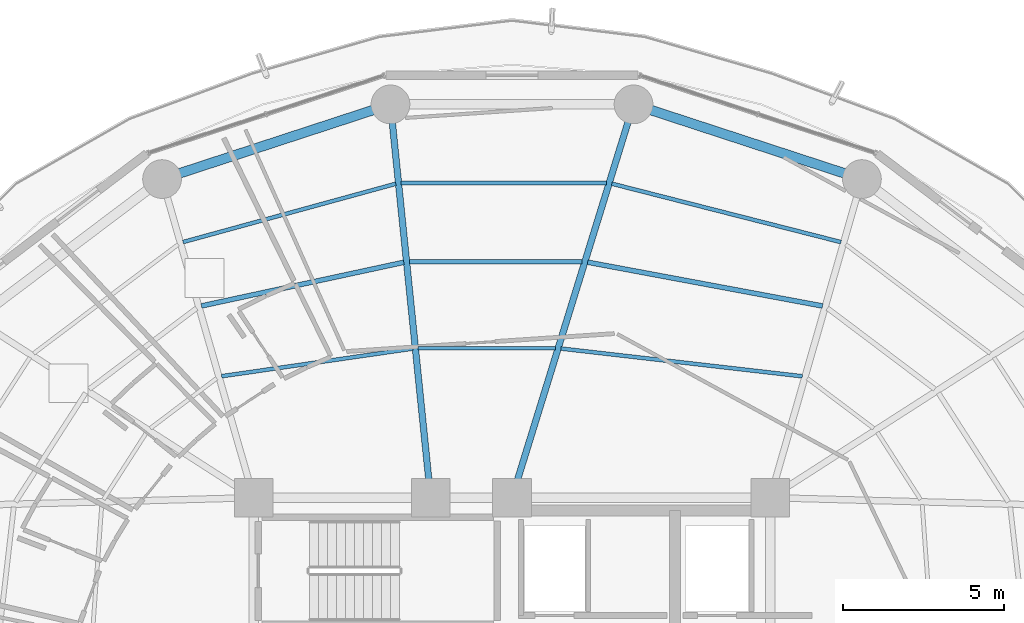
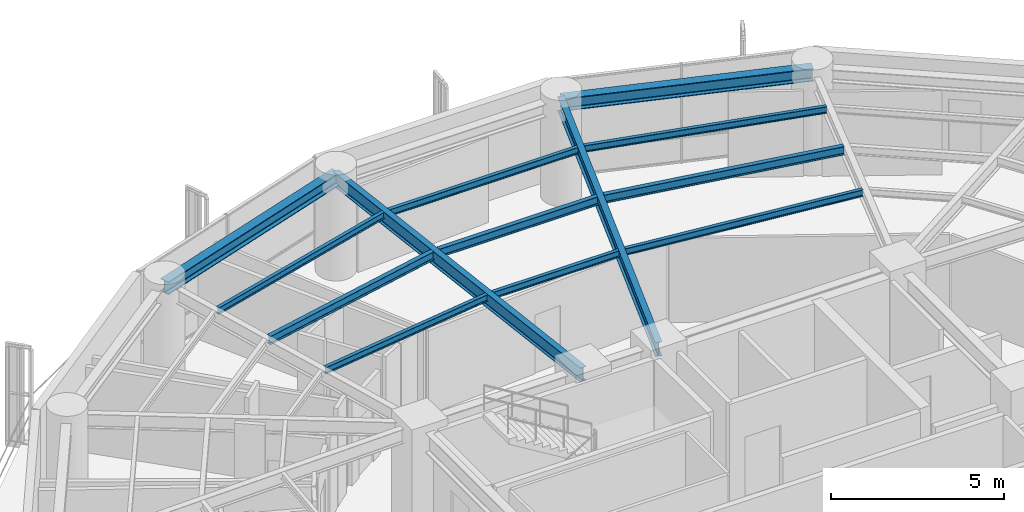
# One storey, part 17 of 27: 13 beams.
"""IFC4 building model written with IfcOpenShell, lengths in metres."""

from ifc_helpers import new_model, si_unit, direction, frame, origin, origin_2d, place, context, subcontext, project, spatial, i_section, extrude, material, material_profile, profile_set, type_object, element, save


model = new_model("IFC4")

# Units and contexts
model_context = context("Model", 3, precision=1e-05, world=origin(), true_north=direction((0.0, 1.0)))
body_context = subcontext(model_context, "Body", "Model", "MODEL_VIEW")
ifc_project = project(units=[si_unit("LENGTHUNIT", "METRE"), si_unit("AREAUNIT", "SQUARE_METRE"), si_unit("VOLUMEUNIT", "CUBIC_METRE"), si_unit("PLANEANGLEUNIT", "RADIAN"), si_unit("MASSUNIT", "GRAM", prefix="KILO")], contexts=[model_context])

# Site, building, storey
site_placement = place(None, origin())
site = spatial("IfcSite", under=ifc_project, at=site_placement, CompositionType="ELEMENT")
building_placement = place(site_placement, origin())
building = spatial("IfcBuilding", under=site, at=building_placement, Name="Kelanora Arch Commons", CompositionType="ELEMENT")
storey_placement = place(building_placement, frame((0.0, 0.0, 143.10009765625)))
storey = spatial("IfcBuildingStorey", under=building, at=storey_placement, Name="L36", CompositionType="ELEMENT", Elevation=143.10009765625)

# Beams
ifc_material = material(Name="Steel S355", Category="steel")
ifc_material_profile_1 = material_profile(ifc_material, i_section(OverallWidth=0.14990234375, OverallDepth=0.300048828125, WebThickness=0.007080078125, FlangeThickness=0.0107421875, FilletRadius=0.014892578125, at=origin_2d()), Name="IPE300")
ifc_profile_set_1 = profile_set([ifc_material_profile_1], Name="Steel S355")
beam_type_1 = type_object("IfcBeamType", Name="BM-JST-01", PredefinedType="JOIST", material=ifc_profile_set_1)
beam_1_placement = place(storey_placement, frame((83.620361328125, 70.937744140625, 3.33984375), z_axis=(-0.983054256126, 0.183314837134, 0.0), x_axis=(-0.183314837134, -0.983054256126, 0.0)))
element("IfcBeam", 1, at=beam_1_placement, inside=storey, type_object=beam_type_1, Name="Secondary Chord Joist BJB-06 L36", PredefinedType="JOIST", context=body_context, shape_type="SweptSolid", body=[
    extrude(i_section(OverallWidth=0.14990234375, OverallDepth=0.300048828125, WebThickness=0.007080078125, FlangeThickness=0.0107421875, FilletRadius=0.014892578125, at=origin_2d()), origin(), (0.0, 0.0, 1.0), 7.403564453125),
])
beam_2_placement = place(storey_placement, frame((76.173828125, 72.310546875, 3.33984375), z_axis=(-1.0, 0.0, 0.0), x_axis=(0.0, -1.0, 0.0)))
element("IfcBeam", 2, at=beam_2_placement, inside=storey, type_object=beam_type_1, Name="Secondary Chord Joist BJB-08 L36", PredefinedType="JOIST", context=body_context, shape_type="SweptSolid", body=[
    extrude(i_section(OverallWidth=0.14990234375, OverallDepth=0.300048828125, WebThickness=0.007080078125, FlangeThickness=0.0107421875, FilletRadius=0.014892578125, at=origin_2d()), origin(), (0.0, 0.0, 1.0), 5.355712890625),
])
beam_3_placement = place(storey_placement, frame((70.650146484375, 72.29248046875, 3.33984375), z_axis=(-0.977521966827, -0.210833594029, 0.0), x_axis=(0.210833594029, -0.977521966827, 0.0)))
element("IfcBeam", 3, at=beam_3_placement, inside=storey, type_object=beam_type_1, Name="Secondary Chord Joist BJB-10 L36", PredefinedType="JOIST", context=body_context, shape_type="SweptSolid", body=[
    extrude(i_section(OverallWidth=0.14990234375, OverallDepth=0.300048828125, WebThickness=0.007080078125, FlangeThickness=0.0107421875, FilletRadius=0.014892578125, at=origin_2d()), origin(), (0.0, 0.0, 1.0), 6.415283203125),
])
ifc_material_profile_2 = material_profile(ifc_material, i_section(OverallWidth=0.1201171875, OverallDepth=0.239990234375, WebThickness=0.006103515625, FlangeThickness=0.009765625, FilletRadius=0.014892578125, at=origin_2d()), Name="IPE240")
ifc_profile_set_2 = profile_set([ifc_material_profile_2], Name="Steel S355")
beam_type_2 = type_object("IfcBeamType", Name="BM-JST-02", PredefinedType="JOIST", material=ifc_profile_set_2)
beam_4_placement = place(storey_placement, frame((82.994873046875, 68.760498046875, 3.369873046875), z_axis=(-0.993457414184, 0.114203179475, 0.0), x_axis=(-0.114203179475, -0.993457414184, 0.0)))
element("IfcBeam", 4, at=beam_4_placement, inside=storey, type_object=beam_type_2, Name="Secondary Chord Joist BJA-06 L36", PredefinedType="JOIST", context=body_context, shape_type="SweptSolid", body=[
    extrude(i_section(OverallWidth=0.1201171875, OverallDepth=0.239990234375, WebThickness=0.006103515625, FlangeThickness=0.009765625, FilletRadius=0.014892578125, at=origin_2d()), origin(), (0.0, 0.0, 1.0), 7.529296875),
])
beam_5_placement = place(storey_placement, frame((84.189697265625, 72.917236328125, 3.369873046875), z_axis=(-0.96900232943, 0.247051584815, 0.0), x_axis=(-0.247051584815, -0.96900232943, 0.0)))
element("IfcBeam", 5, at=beam_5_placement, inside=storey, type_object=beam_type_2, Name="Secondary Chord Joist BJC-06 L36", PredefinedType="JOIST", context=body_context, shape_type="SweptSolid", body=[
    extrude(i_section(OverallWidth=0.1201171875, OverallDepth=0.239990234375, WebThickness=0.006103515625, FlangeThickness=0.009765625, FilletRadius=0.014892578125, at=origin_2d()), origin(), (0.0, 0.0, 1.0), 7.32275390625),
])
beam_6_placement = place(storey_placement, frame((75.345703125, 69.6298828125, 3.369873046875), z_axis=(-1.0, 0.0, 0.0), x_axis=(0.0, -1.0, 0.0)))
element("IfcBeam", 6, at=beam_6_placement, inside=storey, type_object=beam_type_2, Name="Secondary Chord Joist BJA-08 L36", PredefinedType="JOIST", context=body_context, shape_type="SweptSolid", body=[
    extrude(i_section(OverallWidth=0.1201171875, OverallDepth=0.239990234375, WebThickness=0.006103515625, FlangeThickness=0.009765625, FilletRadius=0.014892578125, at=origin_2d()), origin(), (0.0, 0.0, 1.0), 4.253662109375),
])
beam_7_placement = place(storey_placement, frame((76.9267578125, 74.747314453125, 3.369873046875), z_axis=(-1.0, 0.0, 0.0), x_axis=(0.0, -1.0, 0.0)))
element("IfcBeam", 7, at=beam_7_placement, inside=storey, type_object=beam_type_2, Name="Secondary Chord Joist BJC-08 L36", PredefinedType="JOIST", context=body_context, shape_type="SweptSolid", body=[
    extrude(i_section(OverallWidth=0.1201171875, OverallDepth=0.239990234375, WebThickness=0.006103515625, FlangeThickness=0.009765625, FilletRadius=0.014892578125, at=origin_2d()), origin(), (0.0, 0.0, 1.0), 6.357666015625),
])
beam_8_placement = place(storey_placement, frame((70.9228515625, 69.617919921875, 3.369873046875), z_axis=(-0.989718726051, -0.143027421508, 0.0), x_axis=(0.143027421508, -0.989718726051, 0.0)))
element("IfcBeam", 8, at=beam_8_placement, inside=storey, type_object=beam_type_2, Name="Secondary Chord Joist BJA-10 L36", PredefinedType="JOIST", context=body_context, shape_type="SweptSolid", body=[
    extrude(i_section(OverallWidth=0.1201171875, OverallDepth=0.239990234375, WebThickness=0.006103515625, FlangeThickness=0.009765625, FilletRadius=0.014892578125, at=origin_2d()), origin(), (0.0, 0.0, 1.0), 5.9794921875),
])
beam_9_placement = place(storey_placement, frame((70.40234375, 74.724853515625, 3.369873046875), z_axis=(-0.964456541131, -0.264241518824, 0.0), x_axis=(0.264241518824, -0.964456541131, 0.0)))
element("IfcBeam", 9, at=beam_9_placement, inside=storey, type_object=beam_type_2, Name="Secondary Chord Joist BJC-10 L36", PredefinedType="JOIST", context=body_context, shape_type="SweptSolid", body=[
    extrude(i_section(OverallWidth=0.1201171875, OverallDepth=0.239990234375, WebThickness=0.006103515625, FlangeThickness=0.009765625, FilletRadius=0.014892578125, at=origin_2d()), origin(), (0.0, 0.0, 1.0), 6.835205078125),
])
ifc_material_profile_3 = material_profile(ifc_material, i_section(OverallWidth=0.199951171875, OverallDepth=0.5, WebThickness=0.01025390625, FlangeThickness=0.01611328125, FilletRadius=0.02099609375, at=origin_2d()), Name="IPE500")
ifc_profile_set_3 = profile_set([ifc_material_profile_3], Name="Steel S355")
beam_type_3 = type_object("IfcBeamType", Name="BM-RAD-Z3", PredefinedType="BEAM", material=ifc_profile_set_3)
beam_10_placement = place(storey_placement, frame((74.0, 65.0, 3.239990234375), z_axis=(0.295210315095, 0.955432294755, 0.0), x_axis=(-0.955432294755, 0.295210315095, 0.0)))
element("IfcBeam", 10, at=beam_10_placement, inside=storey, type_object=beam_type_3, Name="Radial Floor Girder BR-08 L36", PredefinedType="BEAM", context=body_context, shape_type="SweptSolid", body=[
    extrude(i_section(OverallWidth=0.199951171875, OverallDepth=0.5, WebThickness=0.01025390625, FlangeThickness=0.01611328125, FilletRadius=0.02099609375, at=origin_2d()), origin(), (0.0, 0.0, 1.0), 12.75244140625),
])
beam_11_placement = place(storey_placement, frame((71.47998046875, 65.0, 3.239990234375), z_axis=(-0.101623200789, 0.994822961668, 0.0), x_axis=(-0.994822961668, -0.101623200789, 0.0)))
element("IfcBeam", 11, at=beam_11_placement, inside=storey, type_object=beam_type_3, Name="Radial Floor Girder BR-10 L36", PredefinedType="BEAM", context=body_context, shape_type="SweptSolid", body=[
    extrude(i_section(OverallWidth=0.199951171875, OverallDepth=0.5, WebThickness=0.01025390625, FlangeThickness=0.01611328125, FilletRadius=0.02099609375, at=origin_2d()), origin(), (0.0, 0.0, 1.0), 12.24755859375),
])
ifc_material_profile_4 = material_profile(ifc_material, i_section(OverallWidth=0.300048828125, OverallDepth=0.449951171875, WebThickness=0.013916015625, FlangeThickness=0.02587890625, FilletRadius=0.027099609375, at=origin_2d()), Name="HEB450")
ifc_profile_set_4 = profile_set([ifc_material_profile_4], Name="Steel S355")
beam_type_4 = type_object("IfcBeamType", Name="BM-SPN-Z3", PredefinedType="SPANDREL", material=ifc_profile_set_4)
for number, where, z_axis, x_axis, name in (
    (12, (84.840087890625, 74.8701171875, 3.264892578125), (-0.950461975786, 0.310840847676, 0.0), (-0.310840847676, -0.950461975786, 0.0), "Perimeter Spandrel Beam BS-06 L36"),
    (13, (70.2353515625, 77.18408203125, 3.264892578125), (-0.950461975786, -0.310840847676, 0.0), (0.310840847676, -0.950461975786, 0.0), "Perimeter Spandrel Beam BS-10 L36"),
):
    element("IfcBeam", number, at=place(storey_placement, frame(where, z_axis=z_axis, x_axis=x_axis)), inside=storey, type_object=beam_type_4, Name=name, PredefinedType="SPANDREL", context=body_context, shape_type="SweptSolid", body=[
        extrude(i_section(OverallWidth=0.300048828125, OverallDepth=0.449951171875, WebThickness=0.013916015625, FlangeThickness=0.02587890625, FilletRadius=0.027099609375, at=origin_2d()), origin(), (0.0, 0.0, 1.0), 7.444091796875),
    ])

save(model, "model.ifc")
